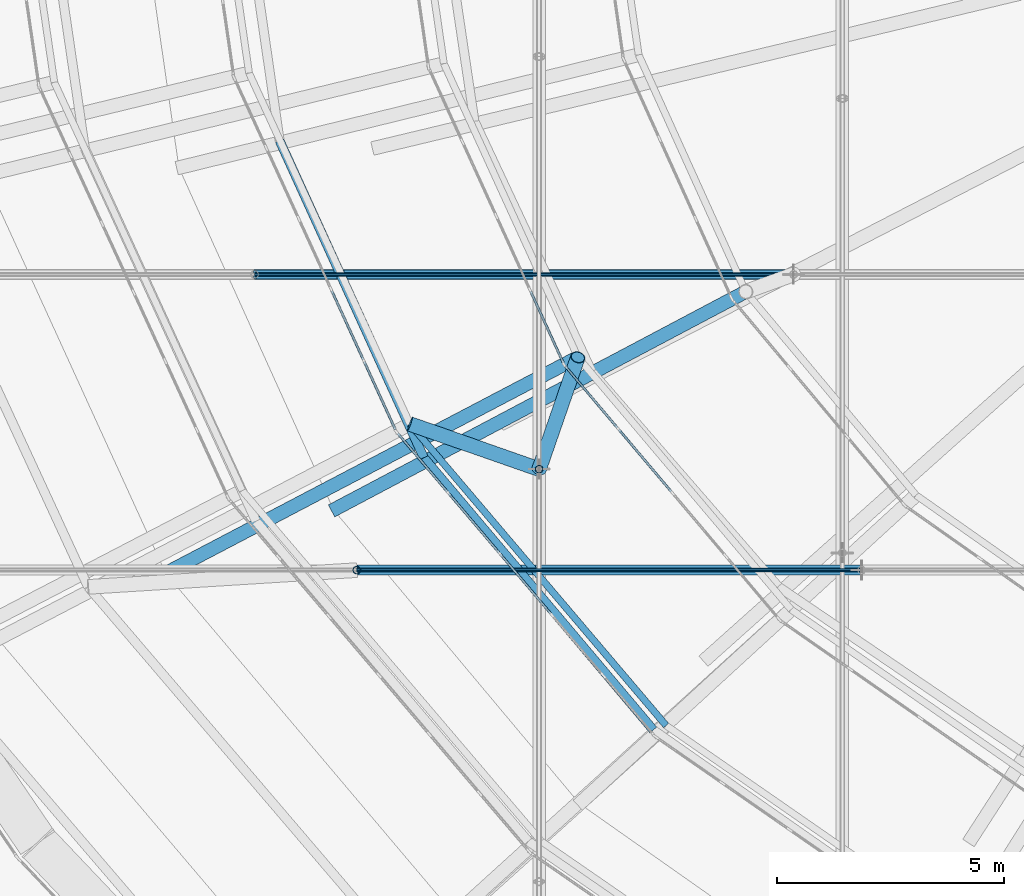
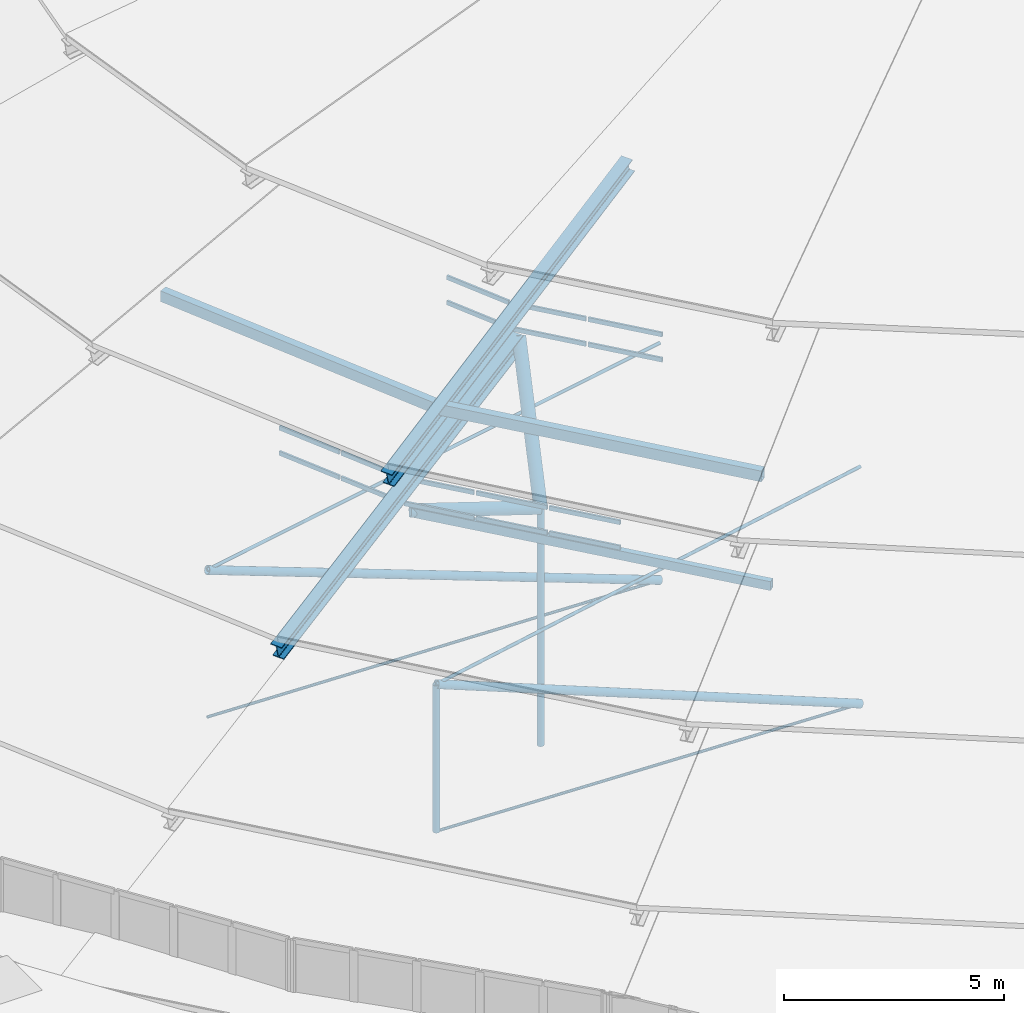
# One storey, part 7 of 173: 31 members, 4 elements without a shape of their own.
"""IFC4 building model written with IfcOpenShell, lengths in metres."""

from ifc_helpers import new_model, si_unit, direction, frame, origin, origin_2d, place, context, subcontext, project, spatial, rectangle, hollow_rectangle, circle, hollow_circle, i_section, extrude, material, material_profile, profile_set, type_object, element, aggregate, save


model = new_model("IFC4")

# Units and contexts
model_context = context("Model", 3, precision=1e-05, world=origin(), true_north=direction((0.0, 1.0)))
body_context = subcontext(model_context, "Body", "Model", "MODEL_VIEW")
ifc_project = project(units=[si_unit("LENGTHUNIT", "METRE"), si_unit("AREAUNIT", "SQUARE_METRE"), si_unit("VOLUMEUNIT", "CUBIC_METRE"), si_unit("PLANEANGLEUNIT", "RADIAN"), si_unit("MASSUNIT", "GRAM", prefix="KILO")], contexts=[model_context])

# Site, building, storey
site_placement = place(None, origin())
site = spatial("IfcSite", under=ifc_project, at=site_placement, CompositionType="ELEMENT")
building_placement = place(site_placement, origin())
building = spatial("IfcBuilding", under=site, at=building_placement, Name="Glasvene Arena", CompositionType="ELEMENT")
storey_placement = place(building_placement, frame((0.0, 0.0, 28.800048828125)))
storey = spatial("IfcBuildingStorey", under=building, at=storey_placement, Name="RF", CompositionType="ELEMENT", Elevation=28.800048828125)

# Curtain wall, members
ifc_material_1 = material(Name="Low-emissivity laminated double glazing", Category="glass")
curtain_wall_type_1 = type_object("IfcCurtainWallType", Name="CW-PET2-861x75", PredefinedType="USERDEFINED", material=ifc_material_1)
curtain_wall_1_placement = place(storey_placement, frame((55.873291015625, 63.451416015625, 0.0)))
curtain_wall_1 = element("IfcCurtainWall", 1, at=curtain_wall_1_placement, inside=storey, type_object=curtain_wall_type_1, Name="Petal ring 2-3 clerestory curtain wall 14", ObjectType="CURTAIN WALL", PredefinedType="USERDEFINED")
ifc_material_2 = material(Name="Anodised architectural aluminium", Category="aluminium")
ifc_material_profile_1 = material_profile(ifc_material_2, rectangle(XDim=0.050048828125, YDim=0.1201171875, at=origin_2d()), Name="ALU TRANSOM 50x120")
ifc_profile_set_1 = profile_set([ifc_material_profile_1], Name="Anodised architectural aluminium")
member_type_1 = type_object("IfcMemberType", Name="CW-TRN-120", PredefinedType="USERDEFINED", material=ifc_profile_set_1)
member_1_placement = place(storey_placement, frame((58.03564453125, 58.73291015625, 5.204833984375), z_axis=(0.416463632558, -0.909152375984, 0.0), x_axis=(0.909152375984, 0.416463632558, 0.0)))
member_1 = element("IfcMember", 2, at=member_1_placement, type_object=member_type_1, Name="CW-088 transom 4.1", ObjectType="TRANSOM", PredefinedType="USERDEFINED", context=body_context, shape_type="SweptSolid", body=[
    extrude(rectangle(XDim=0.050048828125, YDim=0.1201171875, at=origin_2d()), origin(), (0.0, 0.0, 1.0), 1.671875),
])
member_2_placement = place(storey_placement, frame((58.03564453125, 58.73291015625, 5.905029296875), z_axis=(0.416463632558, -0.909152375984, 0.0), x_axis=(0.909152375984, 0.416463632558, 0.0)))
member_2 = element("IfcMember", 3, at=member_2_placement, type_object=member_type_1, Name="CW-088 transom 4.2", ObjectType="TRANSOM", PredefinedType="USERDEFINED", context=body_context, shape_type="SweptSolid", body=[
    extrude(rectangle(XDim=0.050048828125, YDim=0.1201171875, at=origin_2d()), origin(), (0.0, 0.0, 1.0), 1.671875),
])
member_3_placement = place(storey_placement, frame((58.7529296875, 57.16748046875, 5.204833984375), z_axis=(0.416593451122, -0.909092897609, 0.0), x_axis=(0.909092897609, 0.416593451122, 0.0)))
member_3 = element("IfcMember", 4, at=member_3_placement, type_object=member_type_1, Name="CW-088 transom 5.1", ObjectType="TRANSOM", PredefinedType="USERDEFINED", context=body_context, shape_type="SweptSolid", body=[
    extrude(rectangle(XDim=0.050048828125, YDim=0.1201171875, at=origin_2d()), origin(), (0.0, 0.0, 1.0), 1.646728515625),
])
member_4_placement = place(storey_placement, frame((58.7529296875, 57.16748046875, 5.905029296875), z_axis=(0.416593451122, -0.909092897609, 0.0), x_axis=(0.909092897609, 0.416593451122, 0.0)))
member_4 = element("IfcMember", 5, at=member_4_placement, type_object=member_type_1, Name="CW-088 transom 5.2", ObjectType="TRANSOM", PredefinedType="USERDEFINED", context=body_context, shape_type="SweptSolid", body=[
    extrude(rectangle(XDim=0.050048828125, YDim=0.1201171875, at=origin_2d()), origin(), (0.0, 0.0, 1.0), 1.646728515625),
])
aggregate(curtain_wall_1, [member_1, member_2, member_3, member_4])

curtain_wall_type_2 = type_object("IfcCurtainWallType", Name="CW-PET2-882x75", PredefinedType="USERDEFINED", material=ifc_material_1)
curtain_wall_2_placement = place(storey_placement, frame((59.459716796875, 55.625, 0.0)))
curtain_wall_2 = element("IfcCurtainWall", 6, at=curtain_wall_2_placement, inside=storey, type_object=curtain_wall_type_2, Name="Petal ring 2-3 clerestory curtain wall 15", ObjectType="CURTAIN WALL", PredefinedType="USERDEFINED")
member_5_placement = place(storey_placement, frame((59.491943359375, 55.5869140625, 5.204833984375), z_axis=(0.647199107882, -0.762321005061, 0.0), x_axis=(0.762321005061, 0.647199107882, 0.0)))
member_5 = element("IfcMember", 7, at=member_5_placement, type_object=member_type_1, Name="CW-089 transom 1.1", ObjectType="TRANSOM", PredefinedType="USERDEFINED", context=body_context, shape_type="SweptSolid", body=[
    extrude(rectangle(XDim=0.050048828125, YDim=0.1201171875, at=origin_2d()), origin(), (0.0, 0.0, 1.0), 1.68798828125),
])
member_6_placement = place(storey_placement, frame((59.491943359375, 55.5869140625, 5.905029296875), z_axis=(0.647199107882, -0.762321005061, 0.0), x_axis=(0.762321005061, 0.647199107882, 0.0)))
member_6 = element("IfcMember", 8, at=member_6_placement, type_object=member_type_1, Name="CW-089 transom 1.2", ObjectType="TRANSOM", PredefinedType="USERDEFINED", context=body_context, shape_type="SweptSolid", body=[
    extrude(rectangle(XDim=0.050048828125, YDim=0.1201171875, at=origin_2d()), origin(), (0.0, 0.0, 1.0), 1.68798828125),
])
member_7_placement = place(storey_placement, frame((60.616943359375, 54.26171875, 5.204833984375), z_axis=(0.647180817857, -0.76233653264, 0.0), x_axis=(0.76233653264, 0.647180817857, 0.0)))
member_7 = element("IfcMember", 9, at=member_7_placement, type_object=member_type_1, Name="CW-089 transom 2.1", ObjectType="TRANSOM", PredefinedType="USERDEFINED", context=body_context, shape_type="SweptSolid", body=[
    extrude(rectangle(XDim=0.050048828125, YDim=0.1201171875, at=origin_2d()), origin(), (0.0, 0.0, 1.0), 1.713134765625),
])
member_8_placement = place(storey_placement, frame((60.616943359375, 54.26171875, 5.905029296875), z_axis=(0.647180817857, -0.76233653264, 0.0), x_axis=(0.76233653264, 0.647180817857, 0.0)))
member_8 = element("IfcMember", 10, at=member_8_placement, type_object=member_type_1, Name="CW-089 transom 2.2", ObjectType="TRANSOM", PredefinedType="USERDEFINED", context=body_context, shape_type="SweptSolid", body=[
    extrude(rectangle(XDim=0.050048828125, YDim=0.1201171875, at=origin_2d()), origin(), (0.0, 0.0, 1.0), 1.713134765625),
])
member_9_placement = place(storey_placement, frame((61.758056640625, 52.917724609375, 5.204833984375), z_axis=(0.647180817857, -0.76233653264, 0.0), x_axis=(0.76233653264, 0.647180817857, 0.0)))
member_9 = element("IfcMember", 11, at=member_9_placement, type_object=member_type_1, Name="CW-089 transom 3.1", ObjectType="TRANSOM", PredefinedType="USERDEFINED", context=body_context, shape_type="SweptSolid", body=[
    extrude(rectangle(XDim=0.050048828125, YDim=0.1201171875, at=origin_2d()), origin(), (0.0, 0.0, 1.0), 1.713134765625),
])
member_10_placement = place(storey_placement, frame((61.758056640625, 52.917724609375, 5.905029296875), z_axis=(0.647180817857, -0.76233653264, 0.0), x_axis=(0.76233653264, 0.647180817857, 0.0)))
member_10 = element("IfcMember", 12, at=member_10_placement, type_object=member_type_1, Name="CW-089 transom 3.2", ObjectType="TRANSOM", PredefinedType="USERDEFINED", context=body_context, shape_type="SweptSolid", body=[
    extrude(rectangle(XDim=0.050048828125, YDim=0.1201171875, at=origin_2d()), origin(), (0.0, 0.0, 1.0), 1.713134765625),
])
aggregate(curtain_wall_2, [member_5, member_6, member_7, member_8, member_9, member_10])

curtain_wall_type_3 = type_object("IfcCurtainWallType", Name="CW-PET3-721x75", PredefinedType="USERDEFINED", material=ifc_material_1)
curtain_wall_3_placement = place(storey_placement, frame((60.17041015625, 63.66015625, 0.0)))
curtain_wall_3 = element("IfcCurtainWall", 13, at=curtain_wall_3_placement, inside=storey, type_object=curtain_wall_type_3, Name="Petal ring 3-4 clerestory curtain wall 14", ObjectType="CURTAIN WALL", PredefinedType="USERDEFINED")
member_11_placement = place(storey_placement, frame((62.4248046875, 58.71728515625, 7.85498046875), z_axis=(0.415048276668, -0.909799388896, 0.0), x_axis=(0.909799388896, 0.415048276668, 0.0)))
member_11 = element("IfcMember", 14, at=member_11_placement, type_object=member_type_1, Name="CW-094 transom 4.1", ObjectType="TRANSOM", PredefinedType="USERDEFINED", context=body_context, shape_type="SweptSolid", body=[
    extrude(rectangle(XDim=0.050048828125, YDim=0.1201171875, at=origin_2d()), origin(), (0.0, 0.0, 1.0), 1.7275390625),
])
member_12_placement = place(storey_placement, frame((62.4248046875, 58.71728515625, 8.554931640625), z_axis=(0.415048276668, -0.909799388896, 0.0), x_axis=(0.909799388896, 0.415048276668, 0.0)))
member_12 = element("IfcMember", 15, at=member_12_placement, type_object=member_type_1, Name="CW-094 transom 4.2", ObjectType="TRANSOM", PredefinedType="USERDEFINED", context=body_context, shape_type="SweptSolid", body=[
    extrude(rectangle(XDim=0.050048828125, YDim=0.1201171875, at=origin_2d()), origin(), (0.0, 0.0, 1.0), 1.7275390625),
])
aggregate(curtain_wall_3, [member_11, member_12])

curtain_wall_type_4 = type_object("IfcCurtainWallType", Name="CW-PET3-737x75", PredefinedType="USERDEFINED", material=ifc_material_1)
curtain_wall_4_placement = place(storey_placement, frame((63.16259765625, 57.10009765625, 0.0)))
curtain_wall_4 = element("IfcCurtainWall", 16, at=curtain_wall_4_placement, inside=storey, type_object=curtain_wall_type_4, Name="Petal ring 3-4 clerestory curtain wall 15", ObjectType="CURTAIN WALL", PredefinedType="USERDEFINED")
member_13_placement = place(storey_placement, frame((63.19482421875, 57.061767578125, 7.85498046875), z_axis=(0.645329428667, -0.763904397485, 0.0), x_axis=(0.763904397485, 0.645329428667, 0.0)))
member_13 = element("IfcMember", 17, at=member_13_placement, type_object=member_type_1, Name="CW-095 transom 1.1", ObjectType="TRANSOM", PredefinedType="USERDEFINED", context=body_context, shape_type="SweptSolid", body=[
    extrude(rectangle(XDim=0.050048828125, YDim=0.1201171875, at=origin_2d()), origin(), (0.0, 0.0, 1.0), 1.7685546875),
])
member_14_placement = place(storey_placement, frame((63.19482421875, 57.061767578125, 8.554931640625), z_axis=(0.645329428667, -0.763904397485, 0.0), x_axis=(0.763904397485, 0.645329428667, 0.0)))
member_14 = element("IfcMember", 18, at=member_14_placement, type_object=member_type_1, Name="CW-095 transom 1.2", ObjectType="TRANSOM", PredefinedType="USERDEFINED", context=body_context, shape_type="SweptSolid", body=[
    extrude(rectangle(XDim=0.050048828125, YDim=0.1201171875, at=origin_2d()), origin(), (0.0, 0.0, 1.0), 1.7685546875),
])
member_15_placement = place(storey_placement, frame((64.36865234375, 55.672607421875, 7.85498046875), z_axis=(0.645337954572, -0.763897194908, 0.0), x_axis=(0.763897194908, 0.645337954572, 0.0)))
member_15 = element("IfcMember", 19, at=member_15_placement, type_object=member_type_1, Name="CW-095 transom 2.1", ObjectType="TRANSOM", PredefinedType="USERDEFINED", context=body_context, shape_type="SweptSolid", body=[
    extrude(rectangle(XDim=0.050048828125, YDim=0.1201171875, at=origin_2d()), origin(), (0.0, 0.0, 1.0), 1.793701171875),
])
member_16_placement = place(storey_placement, frame((64.36865234375, 55.672607421875, 8.554931640625), z_axis=(0.645337954572, -0.763897194908, 0.0), x_axis=(0.763897194908, 0.645337954572, 0.0)))
member_16 = element("IfcMember", 20, at=member_16_placement, type_object=member_type_1, Name="CW-095 transom 2.2", ObjectType="TRANSOM", PredefinedType="USERDEFINED", context=body_context, shape_type="SweptSolid", body=[
    extrude(rectangle(XDim=0.050048828125, YDim=0.1201171875, at=origin_2d()), origin(), (0.0, 0.0, 1.0), 1.793701171875),
])
aggregate(curtain_wall_4, [member_13, member_14, member_15, member_16])

# Members
ifc_material_3 = material(Name="High-strength steel spiral strand S460", Category="steel")
ifc_material_profile_2 = material_profile(ifc_material_3, circle(Radius=0.03759765625, at=origin_2d()), Name="LCSS D75")
ifc_profile_set_2 = profile_set([ifc_material_profile_2], Name="High-strength steel spiral strand S460")
member_type_2 = type_object("IfcMemberType", Name="MB-CABLE-75", PredefinedType="USERDEFINED", material=ifc_profile_set_2)
member_17_placement = place(storey_placement, frame((58.58740234375, 52.5703125, -1.753173828125), z_axis=(0.999479818226, 0.0, -0.032250472225), x_axis=(0.0, 1.0, 0.0)))
element("IfcMember", 21, at=member_17_placement, inside=storey, type_object=member_type_2, Name="Lower stabilization roof cable EW01-02", ObjectType="ROOF CABLE", PredefinedType="USERDEFINED", context=body_context, shape_type="SweptSolid", body=[
    extrude(circle(Radius=0.03759765625, at=origin_2d()), origin(), (0.0, 0.0, 1.0), 11.143310546875),
])
member_18_placement = place(storey_placement, frame((56.33544921875, 59.09423828125, -1.753173828125), z_axis=(0.999543398648, 0.0, -0.030215794201), x_axis=(0.0, 1.0, 0.0)))
element("IfcMember", 22, at=member_18_placement, inside=storey, type_object=member_type_2, Name="Lower stabilization roof cable EW02-02", ObjectType="ROOF CABLE", PredefinedType="USERDEFINED", context=body_context, shape_type="SweptSolid", body=[
    extrude(circle(Radius=0.03759765625, at=origin_2d()), origin(), (0.0, 0.0, 1.0), 11.8935546875),
])
ifc_material_profile_3 = material_profile(ifc_material_3, circle(Radius=0.044921875, at=origin_2d()), Name="LCSS D90")
ifc_profile_set_3 = profile_set([ifc_material_profile_3], Name="High-strength steel spiral strand S460")
member_type_3 = type_object("IfcMemberType", Name="MB-CABLE-90", PredefinedType="USERDEFINED", material=ifc_profile_set_3)
member_19_placement = place(storey_placement, frame((58.58740234375, 52.5703125, 2.328857421875), z_axis=(0.981970041202, 0.0, 0.189036605402), x_axis=(0.0, 1.0, 0.0)))
element("IfcMember", 23, at=member_19_placement, inside=storey, type_object=member_type_3, Name="Upper lens roof cable EW01-02", ObjectType="ROOF CABLE", PredefinedType="USERDEFINED", context=body_context, shape_type="SweptSolid", body=[
    extrude(circle(Radius=0.044921875, at=origin_2d()), origin(), (0.0, 0.0, 1.0), 11.342041015625),
])
member_20_placement = place(storey_placement, frame((56.33544921875, 59.09423828125, 2.328857421875), z_axis=(0.984123082444, 0.0, 0.177487347723), x_axis=(0.0, 1.0, 0.0)))
element("IfcMember", 24, at=member_20_placement, inside=storey, type_object=member_type_3, Name="Upper lens roof cable EW02-02", ObjectType="ROOF CABLE", PredefinedType="USERDEFINED", context=body_context, shape_type="SweptSolid", body=[
    extrude(circle(Radius=0.044921875, at=origin_2d()), origin(), (0.0, 0.0, 1.0), 12.080078125),
])
ifc_material_4 = material(Name="Steel S355J2", Category="steel")
ifc_material_profile_4 = material_profile(ifc_material_4, i_section(OverallWidth=0.300048828125, OverallDepth=0.39990234375, WebThickness=0.013427734375, FlangeThickness=0.02392578125, FilletRadius=0.027099609375, at=origin_2d()), Name="HEB 400")
ifc_profile_set_4 = profile_set([ifc_material_profile_4], Name="Steel S355J2")
member_type_4 = type_object("IfcMemberType", Name="MB-CHORD-HEB400", PredefinedType="CHORD", material=ifc_profile_set_4)
member_21_placement = place(storey_placement, frame((54.372314453125, 52.5, 4.75), z_axis=(0.858633756221, 0.449983379102, 0.245485297339), x_axis=(-0.464187366769, 0.885737031252, 0.0)))
element("IfcMember", 25, at=member_21_placement, inside=storey, type_object=member_type_4, Name="Petal ring 3 radial rib 15", PredefinedType="CHORD", context=body_context, shape_type="SweptSolid", body=[
    extrude(i_section(OverallWidth=0.300048828125, OverallDepth=0.39990234375, WebThickness=0.013427734375, FlangeThickness=0.02392578125, FilletRadius=0.027099609375, at=origin_2d()), origin(), (0.0, 0.0, 1.0), 10.590576171875),
])
member_22_placement = place(storey_placement, frame((58.0751953125, 53.89990234375, 7.39990234375), z_axis=(0.855929216878, 0.452944339383, 0.249452602943), x_axis=(-0.46773070606, 0.883871023741, 0.0)))
element("IfcMember", 26, at=member_22_placement, inside=storey, type_object=member_type_4, Name="Petal ring 4 radial rib 15", PredefinedType="CHORD", context=body_context, shape_type="SweptSolid", body=[
    extrude(i_section(OverallWidth=0.300048828125, OverallDepth=0.39990234375, WebThickness=0.013427734375, FlangeThickness=0.02392578125, FilletRadius=0.027099609375, at=origin_2d()), origin(), (0.0, 0.0, 1.0), 10.623779296875),
])
ifc_material_profile_5 = material_profile(ifc_material_4, hollow_circle(Radius=0.161865234375, WallThickness=0.01611328125, at=origin_2d()), Name="CHS 323.9x16.0")
ifc_profile_set_5 = profile_set([ifc_material_profile_5], Name="Steel S355J2")
member_type_5 = type_object("IfcMemberType", Name="MB-POST-CHS324", PredefinedType="BRACE", material=ifc_profile_set_5)
member_23_placement = place(storey_placement, frame((62.610595703125, 54.797119140625, 4.472900390625), z_axis=(-0.939062833409, 0.328289604341, 0.101916292079), x_axis=(-0.33000796301, -0.943978148238, 0.0)))
element("IfcMember", 27, at=member_23_placement, inside=storey, type_object=member_type_5, Name="Petal ring 2 ridge support post 15", PredefinedType="BRACE", context=body_context, shape_type="SweptSolid", body=[
    extrude(hollow_circle(Radius=0.161865234375, WallThickness=0.01611328125, at=origin_2d()), origin(), (0.0, 0.0, 1.0), 3.03271484375),
])
member_24_placement = place(storey_placement, frame((62.610595703125, 54.797119140625, 4.472900390625), z_axis=(0.216665234592, 0.625378871528, 0.749638208181), x_axis=(-0.944898265668, 0.327364120724, 0.0)))
element("IfcMember", 28, at=member_24_placement, inside=storey, type_object=member_type_5, Name="Petal ring 3 ridge support post 15", PredefinedType="BRACE", context=body_context, shape_type="SweptSolid", body=[
    extrude(hollow_circle(Radius=0.161865234375, WallThickness=0.01611328125, at=origin_2d()), origin(), (0.0, 0.0, 1.0), 3.947265625),
])
ifc_material_profile_6 = material_profile(ifc_material_4, hollow_rectangle(XDim=0.14990234375, YDim=0.25, WallThickness=0.010009765625, at=origin_2d()), Name="RHS 250x150x10.0")
ifc_profile_set_6 = profile_set([ifc_material_profile_6], Name="Steel S355J2")
member_type_6 = type_object("IfcMemberType", Name="MB-PURLIN-RHS250", PredefinedType="PURLIN", material=ifc_profile_set_6)
member_25_placement = place(storey_placement, frame((59.7626953125, 55.792724609375, 4.781982421875), z_axis=(0.647395827792, -0.762153949118, 0.0), x_axis=(0.762153949118, 0.647395827792, 0.0)))
element("IfcMember", 29, at=member_25_placement, inside=storey, type_object=member_type_6, Name="Petal ring 2 ridge purlin 15", PredefinedType="PURLIN", context=body_context, shape_type="SweptSolid", body=[
    extrude(hollow_rectangle(XDim=0.14990234375, YDim=0.25, WallThickness=0.010009765625, at=origin_2d()), origin(), (0.0, 0.0, 1.0), 8.726806640625),
])
ifc_material_profile_7 = material_profile(ifc_material_4, hollow_rectangle(XDim=0.199951171875, YDim=0.300048828125, WallThickness=0.012451171875, at=origin_2d()), Name="RHS 300x200x12.5")
ifc_profile_set_7 = profile_set([ifc_material_profile_7], Name="Steel S355J2")
member_type_7 = type_object("IfcMemberType", Name="MB-PURLIN-RHS300", PredefinedType="PURLIN", material=ifc_profile_set_7)
member_26_placement = place(storey_placement, frame((56.88525390625, 62.044189453125, 8.00048828125), z_axis=(0.414097366864, -0.91023259157, 0.0), x_axis=(0.91023259157, 0.414097366864, 0.0)))
element("IfcMember", 30, at=member_26_placement, inside=storey, type_object=member_type_7, Name="Petal ring 4 outer purlin 14", PredefinedType="PURLIN", context=body_context, shape_type="SweptSolid", body=[
    extrude(hollow_rectangle(XDim=0.199951171875, YDim=0.300048828125, WallThickness=0.012451171875, at=origin_2d()), origin(), (0.0, 0.0, 1.0), 7.683837890625),
])
member_27_placement = place(storey_placement, frame((60.067138671875, 55.050048828125, 8.00048828125), z_axis=(0.644415198953, -0.764675781857, 0.0), x_axis=(0.764675781857, 0.644415198953, 0.0)))
element("IfcMember", 31, at=member_27_placement, inside=storey, type_object=member_type_7, Name="Petal ring 4 outer purlin 15", PredefinedType="PURLIN", context=body_context, shape_type="SweptSolid", body=[
    extrude(hollow_rectangle(XDim=0.199951171875, YDim=0.300048828125, WallThickness=0.012451171875, at=origin_2d()), origin(), (0.0, 0.0, 1.0), 7.8544921875),
])
ifc_material_profile_8 = material_profile(ifc_material_4, hollow_circle(Radius=0.084228515625, WallThickness=0.008056640625, at=origin_2d()), Name="CHS 168.3x8.0")
ifc_profile_set_8 = profile_set([ifc_material_profile_8], Name="Steel S355J2")
member_type_8 = type_object("IfcMemberType", Name="MB-WEB-CHS168", PredefinedType="BRACE", material=ifc_profile_set_8)
member_28_placement = place(storey_placement, frame((62.610595703125, 54.797119140625, -2.112548828125), z_axis=(0.0, 0.0, 1.0), x_axis=(1.0, 0.0, 0.0)))
element("IfcMember", 32, at=member_28_placement, inside=storey, type_object=member_type_8, Name="Cable-truss vertical strut NS09-02", PredefinedType="BRACE", context=body_context, shape_type="SweptSolid", body=[
    extrude(hollow_circle(Radius=0.084228515625, WallThickness=0.008056640625, at=origin_2d()), origin(), (0.0, 0.0, 1.0), 6.58544921875),
])
member_29_placement = place(storey_placement, frame((58.58740234375, 52.5703125, -1.753173828125), z_axis=(0.0, 0.0, 1.0), x_axis=(1.0, 0.0, 0.0)))
element("IfcMember", 33, at=member_29_placement, inside=storey, type_object=member_type_8, Name="Cable-truss vertical strut EW01-01", PredefinedType="BRACE", context=body_context, shape_type="SweptSolid", body=[
    extrude(hollow_circle(Radius=0.084228515625, WallThickness=0.008056640625, at=origin_2d()), origin(), (0.0, 0.0, 1.0), 4.08203125),
])
ifc_material_profile_9 = material_profile(ifc_material_4, hollow_circle(Radius=0.109619140625, WallThickness=0.010009765625, at=origin_2d()), Name="CHS 219.1x10.0")
ifc_profile_set_9 = profile_set([ifc_material_profile_9], Name="Steel S355J2")
member_type_9 = type_object("IfcMemberType", Name="MB-WEB-CHS219", PredefinedType="BRACE", material=ifc_profile_set_9)
member_30_placement = place(storey_placement, frame((58.58740234375, 52.5703125, 2.328857421875), z_axis=(0.92886655509, 0.0, -0.370414528381), x_axis=(0.0, 1.0, 0.0)))
element("IfcMember", 34, at=member_30_placement, inside=storey, type_object=member_type_9, Name="Cable-truss diagonal web strut EW01-02", PredefinedType="BRACE", context=body_context, shape_type="SweptSolid", body=[
    extrude(hollow_circle(Radius=0.109619140625, WallThickness=0.010009765625, at=origin_2d()), origin(), (0.0, 0.0, 1.0), 11.990478515625),
])
member_31_placement = place(storey_placement, frame((56.33544921875, 59.09423828125, 2.328857421875), z_axis=(0.936760132168, 0.0, -0.349972077143), x_axis=(0.0, 1.0, 0.0)))
element("IfcMember", 35, at=member_31_placement, inside=storey, type_object=member_type_9, Name="Cable-truss diagonal web strut EW02-02", PredefinedType="BRACE", context=body_context, shape_type="SweptSolid", body=[
    extrude(hollow_circle(Radius=0.109619140625, WallThickness=0.010009765625, at=origin_2d()), origin(), (0.0, 0.0, 1.0), 12.690673828125),
])

save(model, "model.ifc")
